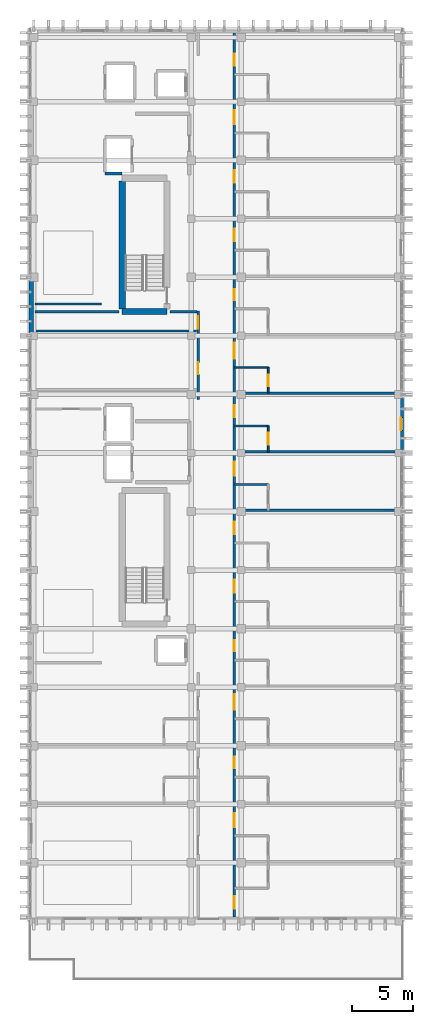
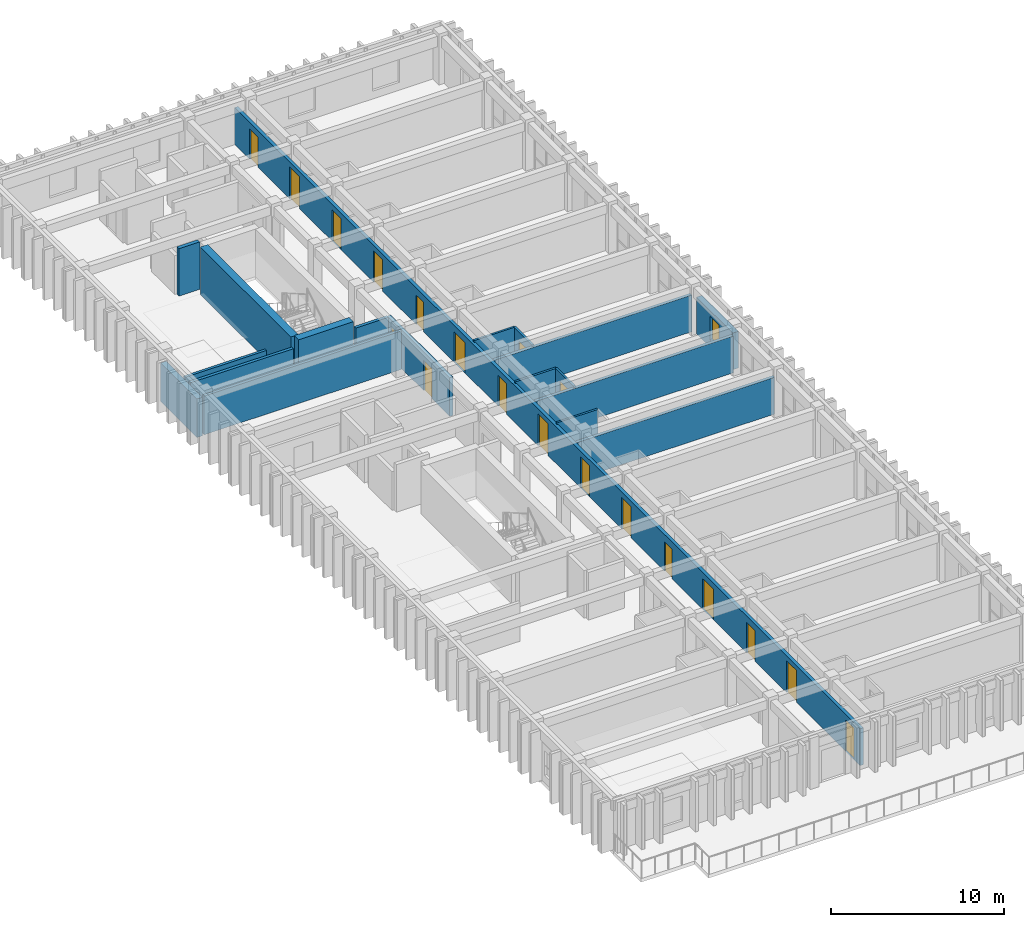
# One storey, part 45 of 53: 19 doors, 19 walls, 1 window, 20 openings.
"""IFC4 building model written with IfcOpenShell, lengths in metres."""

from ifc_helpers import new_model, si_unit, direction, frame, frame_2d, origin, place, context, subcontext, project, spatial, rectangle, extrude, material, layer, layer_set, type_object, element, fill, save


model = new_model("IFC4")

# Units and contexts
model_context = context("Model", 3, precision=1e-05, world=origin(), true_north=direction((0.0, 1.0)))
body_context = subcontext(model_context, "Body", "Model", "MODEL_VIEW")
ifc_project = project(units=[si_unit("LENGTHUNIT", "METRE"), si_unit("AREAUNIT", "SQUARE_METRE"), si_unit("VOLUMEUNIT", "CUBIC_METRE"), si_unit("PLANEANGLEUNIT", "RADIAN"), si_unit("MASSUNIT", "GRAM", prefix="KILO")], contexts=[model_context])

# Site, building, storey
site_placement = place(None, origin())
site = spatial("IfcSite", under=ifc_project, at=site_placement, CompositionType="ELEMENT")
building_placement = place(site_placement, origin())
building = spatial("IfcBuilding", under=site, at=building_placement, Name="Nakhvara Creek Congress Hotel", CompositionType="ELEMENT")
storey_placement = place(building_placement, frame((0.0, 0.0, 35.39990234375)))
storey = spatial("IfcBuildingStorey", under=building, at=storey_placement, Name="L08", CompositionType="ELEMENT", Elevation=35.39990234375)

# Walls
ifc_material_1 = material(Name="Concrete C50/60", Category="concrete")
ifc_layer_1 = layer(ifc_material_1, 0.5)
ifc_layer_set_1 = layer_set([ifc_layer_1], Name="Concrete C50/60")
wall_type_1 = type_object("IfcWallType", Name="W-CORE-500", PredefinedType="SHEAR", material=ifc_layer_set_1)
wall_1_placement = place(storey_placement, frame((156.699951171875, 102.780029296875, 0.0), z_axis=(0.0, 0.0, 1.0), x_axis=(1.0, 0.0, 0.0)))
element("IfcWall", 1, at=wall_1_placement, inside=storey, type_object=wall_type_1, Name="Core Shear Wall WS01-CWALL-L08-0448", PredefinedType="SHEAR", context=body_context, shape_type="SweptSolid", body=[
    extrude(rectangle(XDim=3.670166015625, YDim=0.5, at=frame_2d((1.8349609375, 0.0))), origin(), (0.0, 0.0, 1.0), 3.360107421875),
])
wall_2_placement = place(storey_placement, frame((156.699951171875, 103.0, 0.0), z_axis=(0.0, 0.0, 1.0), x_axis=(0.0, 1.0, 0.0)))
element("IfcWall", 2, at=wall_2_placement, inside=storey, type_object=wall_type_1, Name="Core Shear Wall WS01-CWALL-L08-0450", PredefinedType="SHEAR", context=body_context, shape_type="SweptSolid", body=[
    extrude(rectangle(XDim=10.5, YDim=0.5, at=frame_2d((5.25, 0.0))), origin(), (0.0, 0.0, 1.0), 3.360107421875),
])

# Wall, openings, doors
ifc_material_2 = material(Name="Gypsum acoustic board on steel stud", Category="steel")
ifc_layer_2 = layer(ifc_material_2, 0.219970703125)
ifc_layer_set_2 = layer_set([ifc_layer_2], Name="Gypsum acoustic board on steel stud")
wall_type_2 = type_object("IfcWallType", Name="W-CORR-220", PredefinedType="PARTITIONING", material=ifc_layer_set_2)
wall_3_placement = place(storey_placement, frame((162.919921875, 95.60009765625, 0.0), z_axis=(0.0, 0.0, 1.0), x_axis=(0.0, 1.0, 0.0)))
wall_3 = element("IfcWall", 3, at=wall_3_placement, inside=storey, type_object=wall_type_2, Name="Interior Wall WP11-IW-L08-0586", PredefinedType="PARTITIONING", context=body_context, shape_type="SweptSolid", body=[
    extrude(rectangle(XDim=7.219970703125, YDim=0.219970703125, at=frame_2d((3.60986328125, 0.0))), origin(), (0.0, 0.0, 1.0), 2.732177734375),
])
opening_1_placement = place(wall_3_placement, frame((2.050048828125, 0.0, 0.0)))
opening_1 = element("IfcOpeningElement", 4, at=opening_1_placement, cuts=wall_3, Name="Opening MD03", PredefinedType="OPENING", context=body_context, shape_type="SweptSolid", body=[
    extrude(rectangle(XDim=0.97998046875, YDim=2.14990234375, at=frame_2d((0.489990234375, 1.074951171875))), frame((0.0, 0.1220703125, 0.0), z_axis=(0.0, -1.0, 0.0), x_axis=(1.0, 0.0, 0.0)), (0.0, 0.0, 1.0), 0.243896484375),
])
opening_2_placement = place(wall_3_placement, frame((5.800048828125, 0.0, 0.0)))
opening_2 = element("IfcOpeningElement", 5, at=opening_2_placement, cuts=wall_3, Name="Opening GD01", PredefinedType="OPENING", context=body_context, shape_type="SweptSolid", body=[
    extrude(rectangle(XDim=1.02001953125, YDim=2.199951171875, at=frame_2d((0.510009765625, 1.10009765625))), frame((0.0, 0.1220703125, 0.0), z_axis=(0.0, -1.0, 0.0), x_axis=(1.0, 0.0, 0.0)), (0.0, 0.0, 1.0), 0.243896484375),
])
ifc_material_3 = material(Name="Walnut hardwood timber fire door", Category="wood")
door_type_1 = type_object("IfcDoorType", Name="DT-GUEST-102", OperationType="NOTDEFINED", PredefinedType="DOOR", material=ifc_material_3)
door_1_placement = place(opening_2_placement, frame((1.02001953125, 0.0, 0.0), z_axis=(0.0, 0.0, 1.0), x_axis=(-1.0, 0.0, 0.0)))
door_1 = element("IfcDoor", 6, at=door_1_placement, inside=storey, type_object=door_type_1, Name="Interior Door GD01-0440", OperationType="SINGLE_SWING_LEFT", OverallHeight=2.199951171875, OverallWidth=1.02001953125, PredefinedType="DOOR", context=body_context, shape_type="SweptSolid", body=[
    extrude(rectangle(XDim=1.02001953125, YDim=2.199951171875, at=frame_2d((0.510009765625, 1.10009765625))), frame((0.0, 0.02490234375, 0.0), z_axis=(0.0, -1.0, 0.0), x_axis=(1.0, 0.0, 0.0)), (0.0, 0.0, 1.0), 0.050048828125),
])
fill(opening_2, door_1)
ifc_material_4 = material(Name="Acoustic ISO 2603 sound-lock timber door", Category="wood")
door_type_2 = type_object("IfcDoorType", Name="DT-ISO-098", OperationType="NOTDEFINED", PredefinedType="DOOR", material=ifc_material_4)
door_2_placement = place(opening_1_placement, frame((0.97998046875, 0.0, 0.0), z_axis=(0.0, 0.0, 1.0), x_axis=(-1.0, 0.0, 0.0)))
door_2 = element("IfcDoor", 7, at=door_2_placement, inside=storey, type_object=door_type_2, Name="Interior Door MD03-0439", OperationType="SINGLE_SWING_RIGHT", OverallHeight=2.14990234375, OverallWidth=0.97998046875, PredefinedType="DOOR", context=body_context, shape_type="SweptSolid", body=[
    extrude(rectangle(XDim=0.97998046875, YDim=2.14990234375, at=frame_2d((0.489990234375, 1.074951171875))), frame((0.0, 0.02490234375, 0.0), z_axis=(0.0, -1.0, 0.0), x_axis=(1.0, 0.0, 0.0)), (0.0, 0.0, 1.0), 0.050048828125),
])
fill(opening_1, door_2)

wall_4_placement = place(storey_placement, frame((165.8798828125, 53.14990234375, 0.0), z_axis=(0.0, 0.0, 1.0), x_axis=(0.0, 1.0, 0.0)))
wall_4 = element("IfcWall", 8, at=wall_4_placement, inside=storey, type_object=wall_type_2, Name="Interior Wall WP11-IW-L08-0588", PredefinedType="PARTITIONING", context=body_context, shape_type="SweptSolid", body=[
    extrude(rectangle(XDim=72.5, YDim=0.219970703125, at=frame_2d((36.25, 0.0))), origin(), (0.0, 0.0, 1.0), 2.60205078125),
])
opening_3_placement = place(wall_4_placement, frame((0.69091796875, 0.0, 0.0)))
opening_3 = element("IfcOpeningElement", 9, at=opening_3_placement, cuts=wall_4, Name="Opening GD01", PredefinedType="OPENING", context=body_context, shape_type="SweptSolid", body=[
    extrude(rectangle(XDim=1.02001953125, YDim=2.199951171875, at=frame_2d((0.510009765625, 1.10009765625))), frame((0.0, 0.1220703125, 0.0), z_axis=(0.0, -1.0, 0.0), x_axis=(1.0, 0.0, 0.0)), (0.0, 0.0, 1.0), 0.243896484375),
])
opening_4_placement = place(wall_4_placement, frame((7.387939453125, 0.0, 0.0)))
opening_4 = element("IfcOpeningElement", 10, at=opening_4_placement, cuts=wall_4, Name="Opening GD05", PredefinedType="OPENING", context=body_context, shape_type="SweptSolid", body=[
    extrude(rectangle(XDim=1.139892578125, YDim=2.260009765625, at=frame_2d((0.56982421875, 1.1298828125))), frame((0.0, 0.1220703125, 0.0), z_axis=(0.0, -1.0, 0.0), x_axis=(1.0, 0.0, 0.0)), (0.0, 0.0, 1.0), 0.243896484375),
])
opening_5_placement = place(wall_4_placement, frame((12.18798828125, 0.0, 0.0)))
opening_5 = element("IfcOpeningElement", 11, at=opening_5_placement, cuts=wall_4, Name="Opening MD03", PredefinedType="OPENING", context=body_context, shape_type="SweptSolid", body=[
    extrude(rectangle(XDim=0.97998046875, YDim=2.14990234375, at=frame_2d((0.489990234375, 1.074951171875))), frame((0.0, 0.1220703125, 0.0), z_axis=(0.0, -1.0, 0.0), x_axis=(1.0, 0.0, 0.0)), (0.0, 0.0, 1.0), 0.243896484375),
])
opening_6_placement = place(wall_4_placement, frame((16.988037109375, 0.0, 0.0)))
opening_6 = element("IfcOpeningElement", 12, at=opening_6_placement, cuts=wall_4, Name="Opening ID07", PredefinedType="OPENING", context=body_context, shape_type="SweptSolid", body=[
    extrude(rectangle(XDim=1.280029296875, YDim=2.159912109375, at=frame_2d((0.64013671875, 1.080078125))), frame((0.0, 0.1220703125, 0.0), z_axis=(0.0, -1.0, 0.0), x_axis=(1.0, 0.0, 0.0)), (0.0, 0.0, 1.0), 0.243896484375),
])
opening_7_placement = place(wall_4_placement, frame((21.7880859375, 0.0, 0.0)))
opening_7 = element("IfcOpeningElement", 13, at=opening_7_placement, cuts=wall_4, Name="Opening ID03", PredefinedType="OPENING", context=body_context, shape_type="SweptSolid", body=[
    extrude(rectangle(XDim=0.89990234375, YDim=2.080078125, at=frame_2d((0.449951171875, 1.0400390625))), frame((0.0, 0.1220703125, 0.0), z_axis=(0.0, -1.0, 0.0), x_axis=(1.0, 0.0, 0.0)), (0.0, 0.0, 1.0), 0.243896484375),
])
opening_8_placement = place(wall_4_placement, frame((26.587890625, 0.0, 0.0)))
opening_8 = element("IfcOpeningElement", 14, at=opening_8_placement, cuts=wall_4, Name="Opening GD04", PredefinedType="OPENING", context=body_context, shape_type="SweptSolid", body=[
    extrude(rectangle(XDim=1.050048828125, YDim=2.219970703125, at=frame_2d((0.52490234375, 1.10986328125))), frame((0.0, 0.1220703125, 0.0), z_axis=(0.0, -1.0, 0.0), x_axis=(1.0, 0.0, 0.0)), (0.0, 0.0, 1.0), 0.243896484375),
])
opening_9_placement = place(wall_4_placement, frame((31.387939453125, 0.0, 0.0)))
opening_9 = element("IfcOpeningElement", 15, at=opening_9_placement, cuts=wall_4, Name="Opening GD01", PredefinedType="OPENING", context=body_context, shape_type="SweptSolid", body=[
    extrude(rectangle(XDim=1.02001953125, YDim=2.199951171875, at=frame_2d((0.510009765625, 1.10009765625))), frame((0.0, 0.1220703125, 0.0), z_axis=(0.0, -1.0, 0.0), x_axis=(1.0, 0.0, 0.0)), (0.0, 0.0, 1.0), 0.243896484375),
])
opening_10_placement = place(wall_4_placement, frame((36.18798828125, 0.0, 0.0)))
opening_10 = element("IfcOpeningElement", 16, at=opening_10_placement, cuts=wall_4, Name="Opening GD05", PredefinedType="OPENING", context=body_context, shape_type="SweptSolid", body=[
    extrude(rectangle(XDim=1.139892578125, YDim=2.260009765625, at=frame_2d((0.56982421875, 1.1298828125))), frame((0.0, 0.1220703125, 0.0), z_axis=(0.0, -1.0, 0.0), x_axis=(1.0, 0.0, 0.0)), (0.0, 0.0, 1.0), 0.243896484375),
])
opening_11_placement = place(wall_4_placement, frame((40.988037109375, 0.0, 0.0)))
opening_11 = element("IfcOpeningElement", 17, at=opening_11_placement, cuts=wall_4, Name="Opening MD03", PredefinedType="OPENING", context=body_context, shape_type="SweptSolid", body=[
    extrude(rectangle(XDim=0.97998046875, YDim=2.14990234375, at=frame_2d((0.489990234375, 1.074951171875))), frame((0.0, 0.1220703125, 0.0), z_axis=(0.0, -1.0, 0.0), x_axis=(1.0, 0.0, 0.0)), (0.0, 0.0, 1.0), 0.243896484375),
])
opening_12_placement = place(wall_4_placement, frame((45.7880859375, 0.0, 0.0)))
opening_12 = element("IfcOpeningElement", 18, at=opening_12_placement, cuts=wall_4, Name="Opening ID07", PredefinedType="OPENING", context=body_context, shape_type="SweptSolid", body=[
    extrude(rectangle(XDim=1.280029296875, YDim=2.159912109375, at=frame_2d((0.64013671875, 1.080078125))), frame((0.0, 0.1220703125, 0.0), z_axis=(0.0, -1.0, 0.0), x_axis=(1.0, 0.0, 0.0)), (0.0, 0.0, 1.0), 0.243896484375),
])
opening_13_placement = place(wall_4_placement, frame((50.587890625, 0.0, 0.0)))
opening_13 = element("IfcOpeningElement", 19, at=opening_13_placement, cuts=wall_4, Name="Opening ID03", PredefinedType="OPENING", context=body_context, shape_type="SweptSolid", body=[
    extrude(rectangle(XDim=0.89990234375, YDim=2.080078125, at=frame_2d((0.449951171875, 1.0400390625))), frame((0.0, 0.1220703125, 0.0), z_axis=(0.0, -1.0, 0.0), x_axis=(1.0, 0.0, 0.0)), (0.0, 0.0, 1.0), 0.243896484375),
])
opening_14_placement = place(wall_4_placement, frame((55.387939453125, 0.0, 0.0)))
opening_14 = element("IfcOpeningElement", 20, at=opening_14_placement, cuts=wall_4, Name="Opening GD04", PredefinedType="OPENING", context=body_context, shape_type="SweptSolid", body=[
    extrude(rectangle(XDim=1.050048828125, YDim=2.219970703125, at=frame_2d((0.52490234375, 1.10986328125))), frame((0.0, 0.1220703125, 0.0), z_axis=(0.0, -1.0, 0.0), x_axis=(1.0, 0.0, 0.0)), (0.0, 0.0, 1.0), 0.243896484375),
])
opening_15_placement = place(wall_4_placement, frame((60.18798828125, 0.0, 0.0)))
opening_15 = element("IfcOpeningElement", 21, at=opening_15_placement, cuts=wall_4, Name="Opening GD01", PredefinedType="OPENING", context=body_context, shape_type="SweptSolid", body=[
    extrude(rectangle(XDim=1.02001953125, YDim=2.199951171875, at=frame_2d((0.510009765625, 1.10009765625))), frame((0.0, 0.1220703125, 0.0), z_axis=(0.0, -1.0, 0.0), x_axis=(1.0, 0.0, 0.0)), (0.0, 0.0, 1.0), 0.243896484375),
])
opening_16_placement = place(wall_4_placement, frame((64.988037109375, 0.0, 0.0)))
opening_16 = element("IfcOpeningElement", 22, at=opening_16_placement, cuts=wall_4, Name="Opening GD05", PredefinedType="OPENING", context=body_context, shape_type="SweptSolid", body=[
    extrude(rectangle(XDim=1.139892578125, YDim=2.260009765625, at=frame_2d((0.56982421875, 1.1298828125))), frame((0.0, 0.1220703125, 0.0), z_axis=(0.0, -1.0, 0.0), x_axis=(1.0, 0.0, 0.0)), (0.0, 0.0, 1.0), 0.243896484375),
])
opening_17_placement = place(wall_4_placement, frame((69.7880859375, 0.0, 0.0)))
opening_17 = element("IfcOpeningElement", 23, at=opening_17_placement, cuts=wall_4, Name="Opening MD03", PredefinedType="OPENING", context=body_context, shape_type="SweptSolid", body=[
    extrude(rectangle(XDim=0.97998046875, YDim=2.14990234375, at=frame_2d((0.489990234375, 1.074951171875))), frame((0.0, 0.1220703125, 0.0), z_axis=(0.0, -1.0, 0.0), x_axis=(1.0, 0.0, 0.0)), (0.0, 0.0, 1.0), 0.243896484375),
])
ifc_material_5 = material(Name="Brushed stainless-clad BOH door")
door_type_3 = type_object("IfcDoorType", Name="DT-BOH-128", OperationType="NOTDEFINED", PredefinedType="DOOR", material=ifc_material_5)
door_3_placement = place(opening_6_placement, origin())
door_3 = element("IfcDoor", 24, at=door_3_placement, inside=storey, type_object=door_type_3, Name="Interior Door ID07-0452", OperationType="SINGLE_SWING_LEFT", OverallHeight=2.159912109375, OverallWidth=1.280029296875, PredefinedType="DOOR", context=body_context, shape_type="SweptSolid", body=[
    extrude(rectangle(XDim=1.280029296875, YDim=2.159912109375, at=frame_2d((0.64013671875, 1.080078125))), frame((0.0, 0.02490234375, 0.0), z_axis=(0.0, -1.0, 0.0), x_axis=(1.0, 0.0, 0.0)), (0.0, 0.0, 1.0), 0.050048828125),
])
fill(opening_6, door_3)
door_4_placement = place(opening_12_placement, origin())
door_4 = element("IfcDoor", 25, at=door_4_placement, inside=storey, type_object=door_type_3, Name="Interior Door ID07-0464", OperationType="SINGLE_SWING_LEFT", OverallHeight=2.159912109375, OverallWidth=1.280029296875, PredefinedType="DOOR", context=body_context, shape_type="SweptSolid", body=[
    extrude(rectangle(XDim=1.280029296875, YDim=2.159912109375, at=frame_2d((0.64013671875, 1.080078125))), frame((0.0, 0.02490234375, 0.0), z_axis=(0.0, -1.0, 0.0), x_axis=(1.0, 0.0, 0.0)), (0.0, 0.0, 1.0), 0.050048828125),
])
fill(opening_12, door_4)
door_5_placement = place(opening_3_placement, origin())
door_5 = element("IfcDoor", 26, at=door_5_placement, inside=storey, type_object=door_type_1, Name="Interior Door GD01-0446", OperationType="SINGLE_SWING_LEFT", OverallHeight=2.199951171875, OverallWidth=1.02001953125, PredefinedType="DOOR", context=body_context, shape_type="SweptSolid", body=[
    extrude(rectangle(XDim=1.02001953125, YDim=2.199951171875, at=frame_2d((0.510009765625, 1.10009765625))), frame((0.0, 0.02490234375, 0.0), z_axis=(0.0, -1.0, 0.0), x_axis=(1.0, 0.0, 0.0)), (0.0, 0.0, 1.0), 0.050048828125),
])
fill(opening_3, door_5)
door_6_placement = place(opening_9_placement, origin())
door_6 = element("IfcDoor", 27, at=door_6_placement, inside=storey, type_object=door_type_1, Name="Interior Door GD01-0458", OperationType="SINGLE_SWING_LEFT", OverallHeight=2.199951171875, OverallWidth=1.02001953125, PredefinedType="DOOR", context=body_context, shape_type="SweptSolid", body=[
    extrude(rectangle(XDim=1.02001953125, YDim=2.199951171875, at=frame_2d((0.510009765625, 1.10009765625))), frame((0.0, 0.02490234375, 0.0), z_axis=(0.0, -1.0, 0.0), x_axis=(1.0, 0.0, 0.0)), (0.0, 0.0, 1.0), 0.050048828125),
])
fill(opening_9, door_6)
door_7_placement = place(opening_15_placement, origin())
door_7 = element("IfcDoor", 28, at=door_7_placement, inside=storey, type_object=door_type_1, Name="Interior Door GD01-0470", OperationType="SINGLE_SWING_LEFT", OverallHeight=2.199951171875, OverallWidth=1.02001953125, PredefinedType="DOOR", context=body_context, shape_type="SweptSolid", body=[
    extrude(rectangle(XDim=1.02001953125, YDim=2.199951171875, at=frame_2d((0.510009765625, 1.10009765625))), frame((0.0, 0.02490234375, 0.0), z_axis=(0.0, -1.0, 0.0), x_axis=(1.0, 0.0, 0.0)), (0.0, 0.0, 1.0), 0.050048828125),
])
fill(opening_15, door_7)
door_type_4 = type_object("IfcDoorType", Name="DT-GUEST-105", OperationType="NOTDEFINED", PredefinedType="DOOR", material=ifc_material_3)
door_8_placement = place(opening_8_placement, origin())
door_8 = element("IfcDoor", 29, at=door_8_placement, inside=storey, type_object=door_type_4, Name="Interior Door GD04-0456", OperationType="SINGLE_SWING_LEFT", OverallHeight=2.219970703125, OverallWidth=1.050048828125, PredefinedType="DOOR", context=body_context, shape_type="SweptSolid", body=[
    extrude(rectangle(XDim=1.050048828125, YDim=2.219970703125, at=frame_2d((0.52490234375, 1.10986328125))), frame((0.0, 0.02490234375, 0.0), z_axis=(0.0, -1.0, 0.0), x_axis=(1.0, 0.0, 0.0)), (0.0, 0.0, 1.0), 0.050048828125),
])
fill(opening_8, door_8)
door_9_placement = place(opening_14_placement, origin())
door_9 = element("IfcDoor", 30, at=door_9_placement, inside=storey, type_object=door_type_4, Name="Interior Door GD04-0468", OperationType="SINGLE_SWING_LEFT", OverallHeight=2.219970703125, OverallWidth=1.050048828125, PredefinedType="DOOR", context=body_context, shape_type="SweptSolid", body=[
    extrude(rectangle(XDim=1.050048828125, YDim=2.219970703125, at=frame_2d((0.52490234375, 1.10986328125))), frame((0.0, 0.02490234375, 0.0), z_axis=(0.0, -1.0, 0.0), x_axis=(1.0, 0.0, 0.0)), (0.0, 0.0, 1.0), 0.050048828125),
])
fill(opening_14, door_9)
door_type_5 = type_object("IfcDoorType", Name="DT-GUEST-114", OperationType="NOTDEFINED", PredefinedType="DOOR", material=ifc_material_3)
door_10_placement = place(opening_4_placement, origin())
door_10 = element("IfcDoor", 31, at=door_10_placement, inside=storey, type_object=door_type_5, Name="Interior Door GD05-0448", OperationType="SINGLE_SWING_LEFT", OverallHeight=2.260009765625, OverallWidth=1.139892578125, PredefinedType="DOOR", context=body_context, shape_type="SweptSolid", body=[
    extrude(rectangle(XDim=1.139892578125, YDim=2.260009765625, at=frame_2d((0.56982421875, 1.1298828125))), frame((0.0, 0.02490234375, 0.0), z_axis=(0.0, -1.0, 0.0), x_axis=(1.0, 0.0, 0.0)), (0.0, 0.0, 1.0), 0.050048828125),
])
fill(opening_4, door_10)
door_11_placement = place(opening_10_placement, origin())
door_11 = element("IfcDoor", 32, at=door_11_placement, inside=storey, type_object=door_type_5, Name="Interior Door GD05-0460", OperationType="SINGLE_SWING_LEFT", OverallHeight=2.260009765625, OverallWidth=1.139892578125, PredefinedType="DOOR", context=body_context, shape_type="SweptSolid", body=[
    extrude(rectangle(XDim=1.139892578125, YDim=2.260009765625, at=frame_2d((0.56982421875, 1.1298828125))), frame((0.0, 0.02490234375, 0.0), z_axis=(0.0, -1.0, 0.0), x_axis=(1.0, 0.0, 0.0)), (0.0, 0.0, 1.0), 0.050048828125),
])
fill(opening_10, door_11)
door_12_placement = place(opening_16_placement, origin())
door_12 = element("IfcDoor", 33, at=door_12_placement, inside=storey, type_object=door_type_5, Name="Interior Door GD05-0472", OperationType="SINGLE_SWING_LEFT", OverallHeight=2.260009765625, OverallWidth=1.139892578125, PredefinedType="DOOR", context=body_context, shape_type="SweptSolid", body=[
    extrude(rectangle(XDim=1.139892578125, YDim=2.260009765625, at=frame_2d((0.56982421875, 1.1298828125))), frame((0.0, 0.02490234375, 0.0), z_axis=(0.0, -1.0, 0.0), x_axis=(1.0, 0.0, 0.0)), (0.0, 0.0, 1.0), 0.050048828125),
])
fill(opening_16, door_12)
door_13_placement = place(opening_5_placement, origin())
door_13 = element("IfcDoor", 34, at=door_13_placement, inside=storey, type_object=door_type_2, Name="Interior Door MD03-0450", OperationType="SINGLE_SWING_LEFT", OverallHeight=2.14990234375, OverallWidth=0.97998046875, PredefinedType="DOOR", context=body_context, shape_type="SweptSolid", body=[
    extrude(rectangle(XDim=0.97998046875, YDim=2.14990234375, at=frame_2d((0.489990234375, 1.074951171875))), frame((0.0, 0.02490234375, 0.0), z_axis=(0.0, -1.0, 0.0), x_axis=(1.0, 0.0, 0.0)), (0.0, 0.0, 1.0), 0.050048828125),
])
fill(opening_5, door_13)
door_14_placement = place(opening_11_placement, origin())
door_14 = element("IfcDoor", 35, at=door_14_placement, inside=storey, type_object=door_type_2, Name="Interior Door MD03-0462", OperationType="SINGLE_SWING_LEFT", OverallHeight=2.14990234375, OverallWidth=0.97998046875, PredefinedType="DOOR", context=body_context, shape_type="SweptSolid", body=[
    extrude(rectangle(XDim=0.97998046875, YDim=2.14990234375, at=frame_2d((0.489990234375, 1.074951171875))), frame((0.0, 0.02490234375, 0.0), z_axis=(0.0, -1.0, 0.0), x_axis=(1.0, 0.0, 0.0)), (0.0, 0.0, 1.0), 0.050048828125),
])
fill(opening_11, door_14)
door_15_placement = place(opening_17_placement, origin())
door_15 = element("IfcDoor", 36, at=door_15_placement, inside=storey, type_object=door_type_2, Name="Interior Door MD03-0474", OperationType="SINGLE_SWING_LEFT", OverallHeight=2.14990234375, OverallWidth=0.97998046875, PredefinedType="DOOR", context=body_context, shape_type="SweptSolid", body=[
    extrude(rectangle(XDim=0.97998046875, YDim=2.14990234375, at=frame_2d((0.489990234375, 1.074951171875))), frame((0.0, 0.02490234375, 0.0), z_axis=(0.0, -1.0, 0.0), x_axis=(1.0, 0.0, 0.0)), (0.0, 0.0, 1.0), 0.050048828125),
])
fill(opening_17, door_15)
ifc_material_6 = material(Name="Moisture-resistant laminate timber door", Category="wood")
door_type_6 = type_object("IfcDoorType", Name="DT-WC-090", OperationType="NOTDEFINED", PredefinedType="DOOR", material=ifc_material_6)
door_16_placement = place(opening_7_placement, origin())
door_16 = element("IfcDoor", 37, at=door_16_placement, inside=storey, type_object=door_type_6, Name="Interior Door ID03-0454", OperationType="SINGLE_SWING_LEFT", OverallHeight=2.080078125, OverallWidth=0.89990234375, PredefinedType="DOOR", context=body_context, shape_type="SweptSolid", body=[
    extrude(rectangle(XDim=0.89990234375, YDim=2.080078125, at=frame_2d((0.449951171875, 1.0400390625))), frame((0.0, 0.02490234375, 0.0), z_axis=(0.0, -1.0, 0.0), x_axis=(1.0, 0.0, 0.0)), (0.0, 0.0, 1.0), 0.050048828125),
])
fill(opening_7, door_16)
door_17_placement = place(opening_13_placement, origin())
door_17 = element("IfcDoor", 38, at=door_17_placement, inside=storey, type_object=door_type_6, Name="Interior Door ID03-0466", OperationType="SINGLE_SWING_LEFT", OverallHeight=2.080078125, OverallWidth=0.89990234375, PredefinedType="DOOR", context=body_context, shape_type="SweptSolid", body=[
    extrude(rectangle(XDim=0.89990234375, YDim=2.080078125, at=frame_2d((0.449951171875, 1.0400390625))), frame((0.0, 0.02490234375, 0.0), z_axis=(0.0, -1.0, 0.0), x_axis=(1.0, 0.0, 0.0)), (0.0, 0.0, 1.0), 0.050048828125),
])
fill(opening_13, door_17)

# Wall
ifc_material_7 = material(Name="Moisture-resistant gypsum board partition")
ifc_layer_3 = layer(ifc_material_7, 0.139892578125)
ifc_layer_set_3 = layer_set([ifc_layer_3], Name="Moisture-resistant gypsum board partition")
wall_type_3 = type_object("IfcWallType", Name="W-ENS-140", PredefinedType="PARTITIONING", material=ifc_layer_set_3)
wall_5_placement = place(storey_placement, frame((165.919921875, 88.615966796875, 0.0), z_axis=(0.0, 0.0, 1.0), x_axis=(1.0, 0.0, 0.0)))
element("IfcWall", 39, at=wall_5_placement, inside=storey, type_object=wall_type_3, Name="Interior Wall WP15-IW-L08-0624", PredefinedType="PARTITIONING", context=body_context, shape_type="SweptSolid", body=[
    extrude(rectangle(XDim=2.75, YDim=0.139892578125, at=frame_2d((1.375, 0.0))), origin(), (0.0, 0.0, 1.0), 2.732177734375),
])

# Wall, opening, door
wall_6_placement = place(storey_placement, frame((168.669921875, 91.300048828125, 0.0), z_axis=(0.0, 0.0, 1.0), x_axis=(0.0, 1.0, 0.0)))
wall_6 = element("IfcWall", 40, at=wall_6_placement, inside=storey, type_object=wall_type_3, Name="Interior Wall WP15-IW-L08-0626", PredefinedType="PARTITIONING", context=body_context, shape_type="SweptSolid", body=[
    extrude(rectangle(XDim=2.115966796875, YDim=0.139892578125, at=frame_2d((1.05810546875, 0.0))), origin(), (0.0, 0.0, 1.0), 2.732177734375),
])
opening_18_placement = place(wall_6_placement, frame((0.5830078125, 0.0, 0.0)))
opening_18 = element("IfcOpeningElement", 41, at=opening_18_placement, cuts=wall_6, Name="Opening ID02", PredefinedType="OPENING", context=body_context, shape_type="SweptSolid", body=[
    extrude(rectangle(XDim=0.9599609375, YDim=2.1201171875, at=frame_2d((0.47998046875, 1.06005859375))), frame((0.0, 0.08203125, 0.0), z_axis=(0.0, -1.0, 0.0), x_axis=(1.0, 0.0, 0.0)), (0.0, 0.0, 1.0), 0.163818359375),
])
ifc_material_8 = material(Name="Moisture-resistant walnut timber door", Category="wood")
door_type_7 = type_object("IfcDoorType", Name="DT-ENS-096", OperationType="NOTDEFINED", PredefinedType="DOOR", material=ifc_material_8)
door_18_placement = place(opening_18_placement, frame((0.9599609375, 0.0, 0.0), z_axis=(0.0, 0.0, 1.0), x_axis=(-1.0, 0.0, 0.0)))
door_18 = element("IfcDoor", 42, at=door_18_placement, inside=storey, type_object=door_type_7, Name="Interior Door ID02-0463", OperationType="SINGLE_SWING_RIGHT", OverallHeight=2.1201171875, OverallWidth=0.9599609375, PredefinedType="DOOR", context=body_context, shape_type="SweptSolid", body=[
    extrude(rectangle(XDim=0.9599609375, YDim=2.1201171875, at=frame_2d((0.47998046875, 1.06005859375))), frame((0.0, 0.02490234375, 0.0), z_axis=(0.0, -1.0, 0.0), x_axis=(1.0, 0.0, 0.0)), (0.0, 0.0, 1.0), 0.050048828125),
])
fill(opening_18, door_18)

# Wall
wall_7_placement = place(storey_placement, frame((165.919921875, 93.416015625, 0.0), z_axis=(0.0, 0.0, 1.0), x_axis=(1.0, 0.0, 0.0)))
element("IfcWall", 43, at=wall_7_placement, inside=storey, type_object=wall_type_3, Name="Interior Wall WP15-IW-L08-0627", PredefinedType="PARTITIONING", context=body_context, shape_type="SweptSolid", body=[
    extrude(rectangle(XDim=2.75, YDim=0.139892578125, at=frame_2d((1.375, 0.0))), origin(), (0.0, 0.0, 1.0), 2.732177734375),
])

# Wall, opening, door
wall_8_placement = place(storey_placement, frame((168.669921875, 96.10009765625, 0.0), z_axis=(0.0, 0.0, 1.0), x_axis=(0.0, 1.0, 0.0)))
wall_8 = element("IfcWall", 44, at=wall_8_placement, inside=storey, type_object=wall_type_3, Name="Interior Wall WP15-IW-L08-0629", PredefinedType="PARTITIONING", context=body_context, shape_type="SweptSolid", body=[
    extrude(rectangle(XDim=2.115966796875, YDim=0.139892578125, at=frame_2d((1.05810546875, 0.0))), origin(), (0.0, 0.0, 1.0), 2.732177734375),
])
opening_19_placement = place(wall_8_placement, frame((0.5830078125, 0.0, 0.0)))
opening_19 = element("IfcOpeningElement", 45, at=opening_19_placement, cuts=wall_8, Name="Opening ID01", PredefinedType="OPENING", context=body_context, shape_type="SweptSolid", body=[
    extrude(rectangle(XDim=0.919921875, YDim=2.10009765625, at=frame_2d((0.4599609375, 1.050048828125))), frame((0.0, 0.08203125, 0.0), z_axis=(0.0, -1.0, 0.0), x_axis=(1.0, 0.0, 0.0)), (0.0, 0.0, 1.0), 0.163818359375),
])
door_type_8 = type_object("IfcDoorType", Name="DT-ENS-092", OperationType="NOTDEFINED", PredefinedType="DOOR", material=ifc_material_8)
door_19_placement = place(opening_19_placement, frame((0.919921875, 0.0, 0.0), z_axis=(0.0, 0.0, 1.0), x_axis=(-1.0, 0.0, 0.0)))
door_19 = element("IfcDoor", 46, at=door_19_placement, inside=storey, type_object=door_type_8, Name="Interior Door ID01-0465", OperationType="SINGLE_SWING_RIGHT", OverallHeight=2.10009765625, OverallWidth=0.919921875, PredefinedType="DOOR", context=body_context, shape_type="SweptSolid", body=[
    extrude(rectangle(XDim=0.919921875, YDim=2.10009765625, at=frame_2d((0.4599609375, 1.050048828125))), frame((0.0, 0.02490234375, 0.0), z_axis=(0.0, -1.0, 0.0), x_axis=(1.0, 0.0, 0.0)), (0.0, 0.0, 1.0), 0.050048828125),
])
fill(opening_19, door_19)

# Wall
wall_9_placement = place(storey_placement, frame((165.919921875, 98.216064453125, 0.0), z_axis=(0.0, 0.0, 1.0), x_axis=(1.0, 0.0, 0.0)))
element("IfcWall", 47, at=wall_9_placement, inside=storey, type_object=wall_type_3, Name="Interior Wall WP15-IW-L08-0630", PredefinedType="PARTITIONING", context=body_context, shape_type="SweptSolid", body=[
    extrude(rectangle(XDim=2.75, YDim=0.139892578125, at=frame_2d((1.375, 0.0))), origin(), (0.0, 0.0, 1.0), 2.732177734375),
])

# Wall, opening, window
ifc_material_9 = material(Name="Honed pale Omani limestone cladding", Category="masonry")
ifc_layer_4 = layer(ifc_material_9, 0.050048828125)
ifc_material_10 = material(Name="Mineral wool thermal insulation")
ifc_layer_5 = layer(ifc_material_10, 0.110107421875)
ifc_material_11 = material(Name="Precast concrete C40/50", Category="concrete")
ifc_layer_6 = layer(ifc_material_11, 0.219970703125)
ifc_layer_set_4 = layer_set([ifc_layer_4, ifc_layer_5, ifc_layer_6], Name="Precast concrete C40/50")
wall_type_4 = type_object("IfcWallType", Name="W-EXT-380", PredefinedType="SOLIDWALL", material=ifc_layer_set_4)
wall_10_placement = place(storey_placement, frame((179.56005859375, 95.68505859375, 0.0), z_axis=(0.0, 0.0, 1.0), x_axis=(0.0, -1.0, 0.0)))
wall_10 = element("IfcWall", 48, at=wall_10_placement, inside=storey, type_object=wall_type_4, Name="Exterior Wall WE03-EW-L08-0195", PredefinedType="SOLIDWALL", context=body_context, shape_type="SweptSolid", body=[
    extrude(rectangle(XDim=4.2099609375, YDim=0.3798828125, at=frame_2d((2.10498046875, 0.0))), origin(), (0.0, 0.0, 1.0), 2.60205078125),
])
opening_20_placement = place(wall_10_placement, frame((1.580078125, 0.0, 0.550048828125)))
opening_20 = element("IfcOpeningElement", 49, at=opening_20_placement, cuts=wall_10, Name="Opening WN0212", PredefinedType="OPENING", context=body_context, shape_type="SweptSolid", body=[
    extrude(rectangle(XDim=1.050048828125, YDim=1.64990234375, at=frame_2d((0.52490234375, 0.824951171875))), frame((0.0, 0.201904296875, 0.0), z_axis=(0.0, -1.0, 0.0), x_axis=(1.0, 0.0, 0.0)), (0.0, 0.0, 1.0), 0.40380859375),
])
ifc_material_12 = material(Name="Thermally broken bronze-anodised aluminium and double-silver low-E insulated glass", Category="aluminium")
window_type = type_object("IfcWindowType", Name="WN-LAN-105X180", PartitioningType="SINGLE_PANEL", PredefinedType="WINDOW", material=ifc_material_12)
window_placement = place(opening_20_placement, origin())
window = element("IfcWindow", 50, at=window_placement, inside=storey, type_object=window_type, Name="Facade Window WN0212", OverallHeight=1.64990234375, OverallWidth=1.050048828125, PartitioningType="SINGLE_PANEL", PredefinedType="WINDOW", context=body_context, shape_type="SweptSolid", body=[
    extrude(rectangle(XDim=1.050048828125, YDim=1.64990234375, at=frame_2d((0.52490234375, 0.824951171875))), frame((0.0, 0.030029296875, 0.0), z_axis=(0.0, -1.0, 0.0), x_axis=(1.0, 0.0, 0.0)), (0.0, 0.0, 1.0), 0.06005859375),
])
fill(opening_20, window)

# Walls
wall_11_placement = place(storey_placement, frame((149.239990234375, 101.074951171875, 0.0), z_axis=(0.0, 0.0, 1.0), x_axis=(0.0, 1.0, 0.0)))
element("IfcWall", 51, at=wall_11_placement, inside=storey, type_object=wall_type_4, Name="Exterior Wall WE03-EW-L08-0196", PredefinedType="SOLIDWALL", context=body_context, shape_type="SweptSolid", body=[
    extrude(rectangle(XDim=4.2099609375, YDim=0.3798828125, at=frame_2d((2.10498046875, 0.0))), origin(), (0.0, 0.0, 1.0), 2.732177734375),
])
ifc_layer_7 = layer(ifc_material_2, 0.179931640625)
ifc_layer_set_5 = layer_set([ifc_layer_7], Name="Gypsum acoustic board on steel stud")
wall_type_5 = type_object("IfcWallType", Name="W-MEET-180", PredefinedType="PARTITIONING", material=ifc_layer_set_5)
wall_12_placement = place(storey_placement, frame((149.550048828125, 101.199951171875, 0.0), z_axis=(0.0, 0.0, 1.0), x_axis=(1.0, 0.0, 0.0)))
element("IfcWall", 52, at=wall_12_placement, inside=storey, type_object=wall_type_5, Name="Interior Wall WP13-IW-L08-0590", PredefinedType="PARTITIONING", context=body_context, shape_type="SweptSolid", body=[
    extrude(rectangle(XDim=13.22998046875, YDim=0.179931640625, at=frame_2d((6.614990234375, 0.0))), origin(), (0.0, 0.0, 1.0), 2.732177734375),
])
wall_13_placement = place(storey_placement, frame((149.550048828125, 103.39990234375, 0.0), z_axis=(0.0, 0.0, 1.0), x_axis=(1.0, 0.0, 0.0)))
element("IfcWall", 53, at=wall_13_placement, inside=storey, type_object=wall_type_5, Name="Interior Wall WP13-IW-L08-0595", PredefinedType="PARTITIONING", context=body_context, shape_type="SweptSolid", body=[
    extrude(rectangle(XDim=5.449951171875, YDim=0.179931640625, at=frame_2d((2.72509765625, 0.0))), origin(), (0.0, 0.0, 1.0), 2.732177734375),
])
ifc_layer_8 = layer(ifc_material_2, 0.199951171875)
ifc_layer_set_6 = layer_set([ifc_layer_8], Name="Gypsum acoustic board on steel stud")
wall_type_6 = type_object("IfcWallType", Name="W-PART-200", PredefinedType="PARTITIONING", material=ifc_layer_set_6)
wall_14_placement = place(storey_placement, frame((149.550048828125, 102.780029296875, 0.0), z_axis=(0.0, 0.0, 1.0), x_axis=(1.0, 0.0, 0.0)))
element("IfcWall", 54, at=wall_14_placement, inside=storey, type_object=wall_type_6, Name="Interior Wall WP12-IW-L08-0591", PredefinedType="PARTITIONING", context=body_context, shape_type="SweptSolid", body=[
    extrude(rectangle(XDim=6.89990234375, YDim=0.199951171875, at=frame_2d((3.449951171875, 0.0))), origin(), (0.0, 0.0, 1.0), 2.732177734375),
])
wall_15_placement = place(storey_placement, frame((160.6201171875, 102.780029296875, 0.0), z_axis=(0.0, 0.0, 1.0), x_axis=(1.0, 0.0, 0.0)))
element("IfcWall", 55, at=wall_15_placement, inside=storey, type_object=wall_type_6, Name="Interior Wall WP12-IW-L08-0592", PredefinedType="PARTITIONING", context=body_context, shape_type="SweptSolid", body=[
    extrude(rectangle(XDim=2.18994140625, YDim=0.199951171875, at=frame_2d((1.094970703125, 0.0))), origin(), (0.0, 0.0, 1.0), 2.732177734375),
])
for number, where, z_axis, x_axis, name in (
    (56, (166.02001953125, 86.5, 0.0), (0.0, 0.0, 1.0), (1.0, 0.0, 0.0), "Interior Wall WP12-IW-L08-0622"),
    (57, (166.02001953125, 91.300048828125, 0.0), (0.0, 0.0, 1.0), (1.0, 0.0, 0.0), "Interior Wall WP12-IW-L08-0625"),
    (58, (166.02001953125, 96.10009765625, 0.0), (0.0, 0.0, 1.0), (1.0, 0.0, 0.0), "Interior Wall WP12-IW-L08-0628"),
):
    element("IfcWall", number, at=place(storey_placement, frame(where, z_axis=z_axis, x_axis=x_axis)), inside=storey, type_object=wall_type_6, Name=name, PredefinedType="PARTITIONING", context=body_context, shape_type="SweptSolid", body=[
        extrude(rectangle(XDim=13.22998046875, YDim=0.199951171875, at=frame_2d((6.614990234375, 0.0))), origin(), (0.0, 0.0, 1.0), 2.60205078125),
    ])
ifc_material_13 = material(Name="Concrete C40/50", Category="concrete")
ifc_layer_9 = layer(ifc_material_13, 0.25)
ifc_layer_set_7 = layer_set([ifc_layer_9], Name="Concrete C40/50")
wall_type_7 = type_object("IfcWallType", Name="W-SHAFT-250", PredefinedType="SOLIDWALL", material=ifc_layer_set_7)
wall_16_placement = place(storey_placement, frame((155.2900390625, 114.090087890625, 0.0), z_axis=(0.0, 0.0, 1.0), x_axis=(1.0, 0.0, 0.0)))
element("IfcWall", 59, at=wall_16_placement, inside=storey, type_object=wall_type_7, Name="Core Shear Wall WI02-CWALL-L08-0452", PredefinedType="SOLIDWALL", context=body_context, shape_type="SweptSolid", body=[
    extrude(rectangle(XDim=1.39990234375, YDim=0.25, at=frame_2d((0.699951171875, 0.0))), origin(), (0.0, 0.0, 1.0), 3.360107421875),
])

save(model, "model.ifc")
